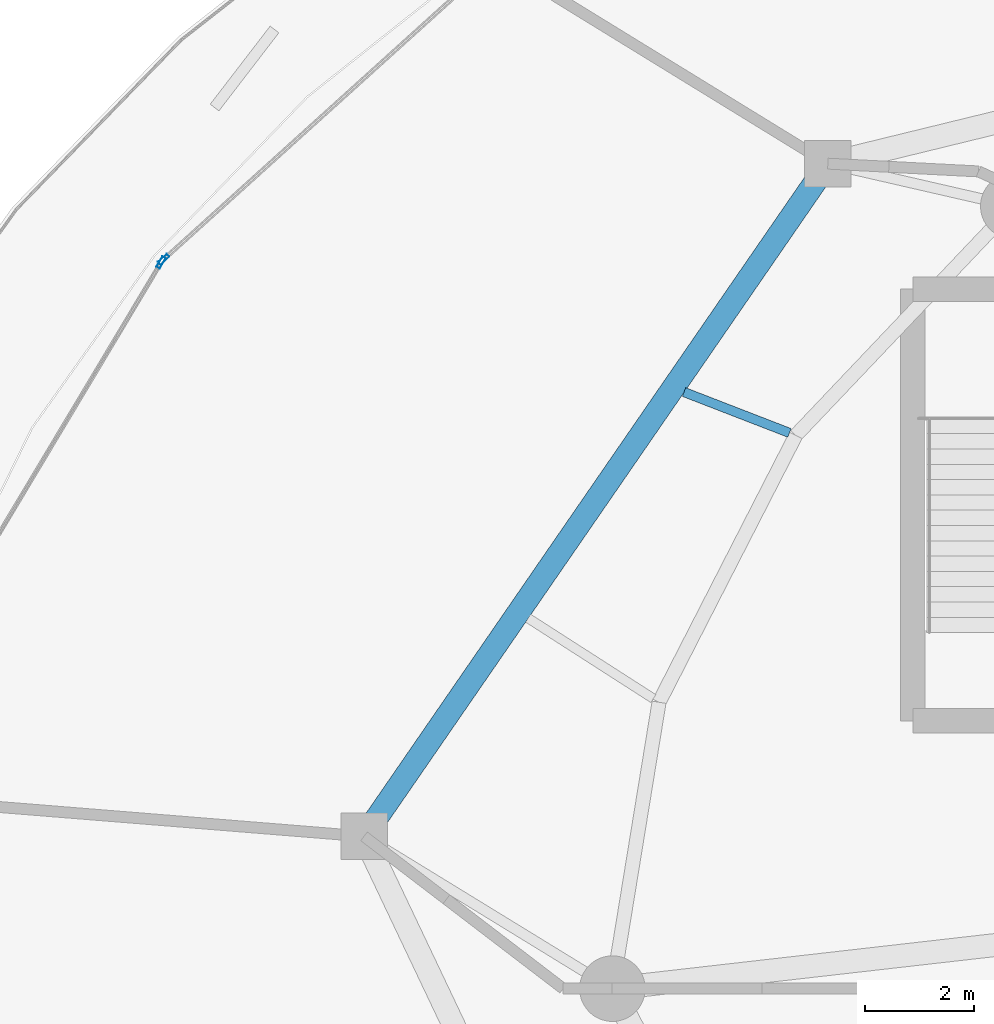
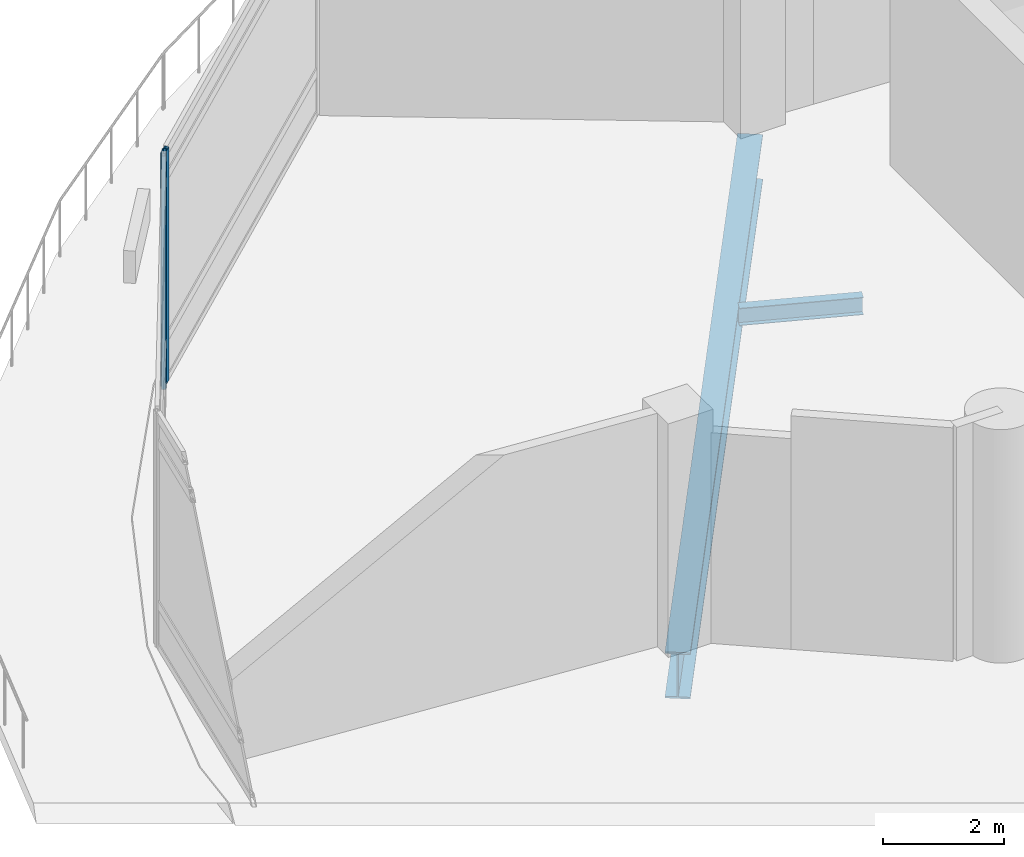
# One storey, part 14 of 37: 2 beams, 2 members, 2 elements without a shape of their own.
"""IFC4 building model written with IfcOpenShell, lengths in metres."""

from ifc_helpers import new_model, si_unit, direction, frame, origin, origin_2d, place, context, subcontext, project, spatial, hollow_rectangle, i_section, extrude, material, layer, layer_set, material_profile, profile_set, type_object, element, aggregate, save


model = new_model("IFC4")

# Units and contexts
model_context = context("Model", 3, precision=1e-05, world=origin(), true_north=direction((0.0, 1.0)))
body_context = subcontext(model_context, "Body", "Model", "MODEL_VIEW")
ifc_project = project(units=[si_unit("LENGTHUNIT", "METRE"), si_unit("AREAUNIT", "SQUARE_METRE"), si_unit("VOLUMEUNIT", "CUBIC_METRE"), si_unit("PLANEANGLEUNIT", "RADIAN"), si_unit("MASSUNIT", "GRAM", prefix="KILO")], contexts=[model_context])

# Site, building, storey
site_placement = place(None, origin())
site = spatial("IfcSite", under=ifc_project, at=site_placement, CompositionType="ELEMENT")
building_placement = place(site_placement, origin())
building = spatial("IfcBuilding", under=site, at=building_placement, Name="Nuhasar Tower", CompositionType="ELEMENT")
storey_placement = place(building_placement, frame((0.0, 0.0, 6.0)))
storey = spatial("IfcBuildingStorey", under=building, at=storey_placement, Name="L01", CompositionType="ELEMENT", Elevation=6.0)

# Beams
ifc_material_1 = material(Name="Steel S355", Category="steel")
ifc_material_profile_1 = material_profile(ifc_material_1, i_section(OverallWidth=0.1708984375, OverallDepth=0.35205078125, WebThickness=0.0068359375, FlangeThickness=0.009765625, at=origin_2d()), Name="W14X30")
ifc_profile_set_1 = profile_set([ifc_material_profile_1], Name="Steel S355")
beam_type_1 = type_object("IfcBeamType", Name="BM-JST-W14X30", PredefinedType="JOIST", material=ifc_profile_set_1)
beam_1_placement = place(storey_placement, frame((17.18994140625, 36.969970703125, -0.47607421875), z_axis=(-0.932506562789, 0.361153029001, 0.0), x_axis=(-0.361153029001, -0.932506562789, 0.0)))
element("IfcBeam", 1, at=beam_1_placement, inside=storey, type_object=beam_type_1, Name="L01 Podium Secondary Joist 13", PredefinedType="JOIST", context=body_context, shape_type="SweptSolid", body=[
    extrude(i_section(OverallWidth=0.1708984375, OverallDepth=0.35205078125, WebThickness=0.0068359375, FlangeThickness=0.009765625, at=origin_2d()), origin(), (0.0, 0.0, 1.0), 2.068603515625),
])
ifc_material_profile_2 = material_profile(ifc_material_1, i_section(OverallWidth=0.419921875, OverallDepth=0.931884765625, WebThickness=0.021240234375, FlangeThickness=0.03662109375, at=origin_2d()), Name="W36X262")
ifc_profile_set_2 = profile_set([ifc_material_profile_2], Name="Steel S355")
beam_type_2 = type_object("IfcBeamType", Name="BM-POD-W36X262", PredefinedType="BEAM", material=ifc_profile_set_2)
beam_2_placement = place(storey_placement, frame((17.89306640625, 41.89697265625, -0.76611328125), z_axis=(-0.567657789101, -0.823264619957, 0.0), x_axis=(0.823264619957, -0.567657789101, 0.0)))
element("IfcBeam", 2, at=beam_2_placement, inside=storey, type_object=beam_type_2, Name="L01 Podium Ring Girder 07", PredefinedType="BEAM", context=body_context, shape_type="SweptSolid", body=[
    extrude(i_section(OverallWidth=0.419921875, OverallDepth=0.931884765625, WebThickness=0.021240234375, FlangeThickness=0.03662109375, at=origin_2d()), origin(), (0.0, 0.0, 1.0), 14.95263671875),
])

# Curtain wall, member
ifc_material_2 = material(Name="Aluminium 6063-T6", Category="aluminium")
ifc_layer = layer(ifc_material_2, 0.219970703125)
ifc_layer_set = layer_set([ifc_layer], Name="Aluminium 6063-T6")
curtain_wall_type = type_object("IfcCurtainWallType", Name="CW-PODIUM", PredefinedType="NOTDEFINED", material=ifc_layer_set)
curtain_wall_1_placement = place(storey_placement, origin())
curtain_wall_1 = element("IfcCurtainWall", 3, at=curtain_wall_1_placement, inside=storey, type_object=curtain_wall_type, Name="L01 Podium Curtain Wall Bay 10", PredefinedType="NOTDEFINED")
ifc_material_profile_3 = material_profile(ifc_material_2, hollow_rectangle(XDim=0.074951171875, YDim=0.219970703125, WallThickness=0.0048828125, at=origin_2d()), Name="CWM-1")
ifc_profile_set_3 = profile_set([ifc_material_profile_3], Name="Aluminium 6063-T6")
member_type = type_object("IfcMemberType", Name="CW-MUL-S1", PredefinedType="MULLION", material=ifc_profile_set_3)
member_1_placement = place(storey_placement, frame((5.73779296875, 40.14501953125, 0.0), z_axis=(0.0, 0.0, 1.0), x_axis=(0.67023230157, -0.742151374001, 0.0)))
member_1 = element("IfcMember", 4, at=member_1_placement, type_object=member_type, Name="CW-P1 mullion 2", PredefinedType="MULLION", context=body_context, shape_type="SweptSolid", body=[
    extrude(hollow_rectangle(XDim=0.074951171875, YDim=0.219970703125, WallThickness=0.0048828125, at=origin_2d()), origin(), (0.0, 0.0, 1.0), 4.699951171875),
])
aggregate(curtain_wall_1, [member_1])

curtain_wall_2_placement = place(storey_placement, origin())
curtain_wall_2 = element("IfcCurtainWall", 5, at=curtain_wall_2_placement, inside=storey, type_object=curtain_wall_type, Name="L01 Podium Curtain Wall Bay 11", PredefinedType="NOTDEFINED")
member_2_placement = place(storey_placement, frame((5.690673828125, 40.087890625, 0.0), z_axis=(0.0, 0.0, 1.0), x_axis=(0.858375772952, -0.513021473633, 0.0)))
member_2 = element("IfcMember", 6, at=member_2_placement, type_object=member_type, Name="CW-P1 mullion 1", PredefinedType="MULLION", context=body_context, shape_type="SweptSolid", body=[
    extrude(hollow_rectangle(XDim=0.074951171875, YDim=0.219970703125, WallThickness=0.0048828125, at=origin_2d()), origin(), (0.0, 0.0, 1.0), 4.699951171875),
])
aggregate(curtain_wall_2, [member_2])

save(model, "model.ifc")
